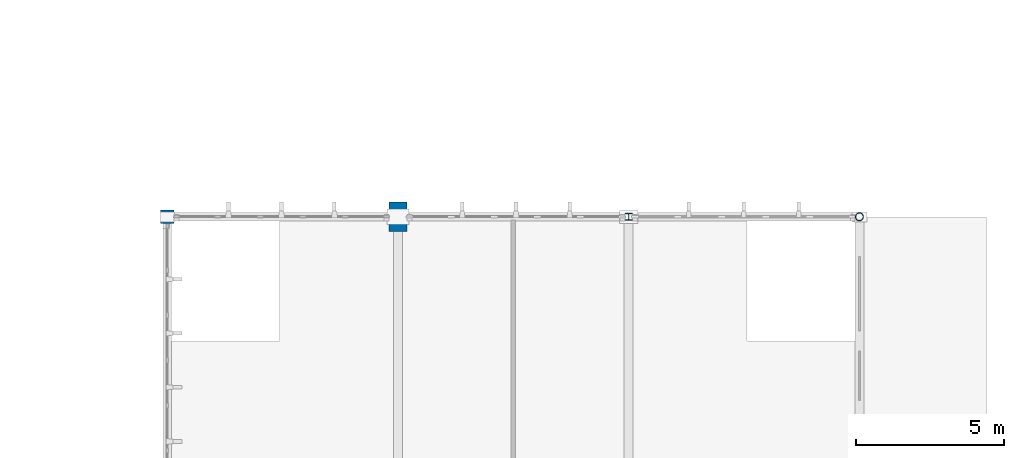
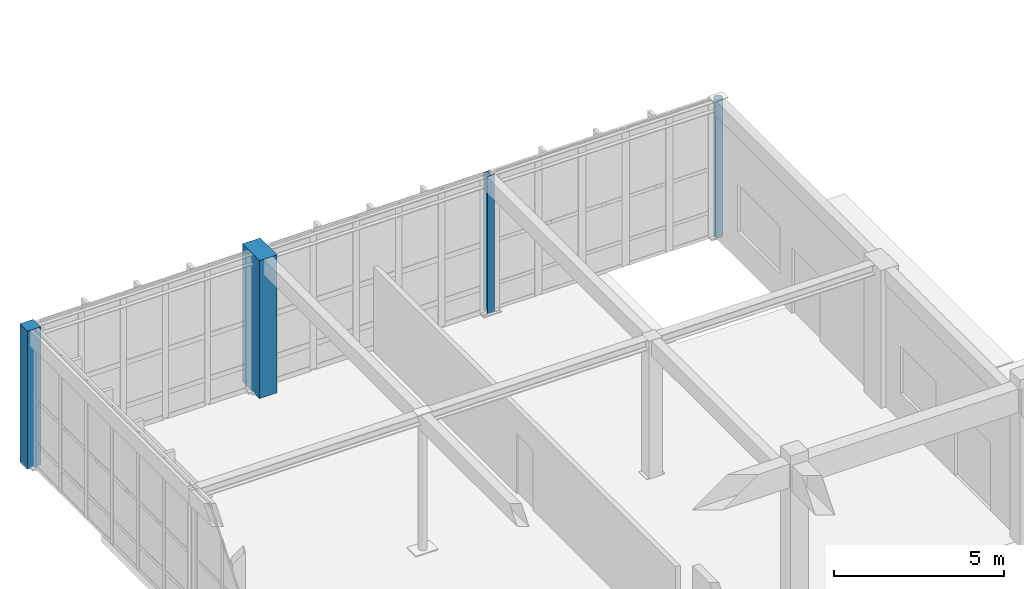
# One storey, part 10 of 110: 4 columns.
"""IFC4 building model written with IfcOpenShell, lengths in metres."""

from ifc_helpers import new_model, si_unit, direction, frame, origin, origin_2d, place, context, subcontext, project, spatial, rectangle, hollow_circle, i_section, extrude, material, material_profile, profile_set, type_object, element, save


model = new_model("IFC4")

# Units and contexts
model_context = context("Model", 3, precision=1e-05, world=origin(), true_north=direction((0.0, 1.0)))
body_context = subcontext(model_context, "Body", "Model", "MODEL_VIEW")
ifc_project = project(units=[si_unit("LENGTHUNIT", "METRE"), si_unit("AREAUNIT", "SQUARE_METRE"), si_unit("VOLUMEUNIT", "CUBIC_METRE"), si_unit("PLANEANGLEUNIT", "RADIAN"), si_unit("MASSUNIT", "GRAM", prefix="KILO")], contexts=[model_context])

# Site, building, storey
site_placement = place(None, origin())
site = spatial("IfcSite", under=ifc_project, at=site_placement, CompositionType="ELEMENT")
building_placement = place(site_placement, origin())
building = spatial("IfcBuilding", under=site, at=building_placement, Name="Tizgana Railside Sports Hall", CompositionType="ELEMENT")
storey_placement = place(building_placement, origin())
storey = spatial("IfcBuildingStorey", under=building, at=storey_placement, Name="L00", CompositionType="ELEMENT", Elevation=0.0)

# Columns
ifc_material_1 = material(Name="Concrete C35/45", Category="concrete")
ifc_material_profile_1 = material_profile(ifc_material_1, rectangle(XDim=0.449951171875, YDim=0.449951171875, at=origin_2d()), Name="RC 450x450")
ifc_profile_set_1 = profile_set([ifc_material_profile_1], Name="Concrete C35/45")
column_type_1 = type_object("IfcColumnType", Name="Concrete Column RC 450x450", PredefinedType="COLUMN", material=ifc_profile_set_1)
column_1_placement = place(storey_placement, frame((7.800048828125, 98.39990234375, 0.0), z_axis=(0.0, 0.0, 1.0), x_axis=(1.0, 0.0, 0.0)))
element("IfcColumn", 1, at=column_1_placement, inside=storey, type_object=column_type_1, Name="L00 COL-0875", PredefinedType="COLUMN", context=body_context, shape_type="SweptSolid", body=[
    extrude(rectangle(XDim=0.449951171875, YDim=0.449951171875, at=origin_2d()), origin(), (0.0, 0.0, 1.0), 4.9599609375),
])
ifc_material_2 = material(Name="Concrete C40/50", Category="concrete")
ifc_material_profile_2 = material_profile(ifc_material_2, rectangle(XDim=0.60009765625, YDim=1.0, at=origin_2d()), Name="RC 600x1000")
ifc_profile_set_2 = profile_set([ifc_material_profile_2], Name="Concrete C40/50")
column_type_2 = type_object("IfcColumnType", Name="Concrete Column RC 600x1000", PredefinedType="COLUMN", material=ifc_profile_set_2)
column_2_placement = place(storey_placement, frame((15.60009765625, 98.39990234375, 0.0), z_axis=(0.0, 0.0, 1.0), x_axis=(1.0, 0.0, 0.0)))
element("IfcColumn", 2, at=column_2_placement, inside=storey, type_object=column_type_2, Name="L00 COL-0879", PredefinedType="COLUMN", context=body_context, shape_type="SweptSolid", body=[
    extrude(rectangle(XDim=0.60009765625, YDim=1.0, at=origin_2d()), origin(), (0.0, 0.0, 1.0), 4.9599609375),
])
ifc_material_3 = material(Name="Steel S355J2", Category="steel")
ifc_material_profile_3 = material_profile(ifc_material_3, hollow_circle(Radius=0.136474609375, WallThickness=0.012451171875, at=origin_2d()), Name="CHS 273x12.5")
ifc_profile_set_3 = profile_set([ifc_material_profile_3], Name="Steel S355J2")
column_type_3 = type_object("IfcColumnType", Name="Steel Column CHS 273x12.5", PredefinedType="COLUMN", material=ifc_profile_set_3)
column_3_placement = place(storey_placement, frame((31.199951171875, 98.39990234375, 0.0), z_axis=(0.0, 0.0, 1.0), x_axis=(1.0, 0.0, 0.0)))
element("IfcColumn", 3, at=column_3_placement, inside=storey, type_object=column_type_3, Name="L00 COL-0887", PredefinedType="COLUMN", context=body_context, shape_type="SweptSolid", body=[
    extrude(hollow_circle(Radius=0.136474609375, WallThickness=0.012451171875, at=origin_2d()), origin(), (0.0, 0.0, 1.0), 4.9599609375),
])
ifc_material_profile_4 = material_profile(ifc_material_3, i_section(OverallWidth=0.239990234375, OverallDepth=0.239990234375, WebThickness=0.010009765625, FlangeThickness=0.01708984375, FilletRadius=0.02099609375, at=origin_2d()), Name="HEB 240")
ifc_profile_set_4 = profile_set([ifc_material_profile_4], Name="Steel S355J2")
column_type_4 = type_object("IfcColumnType", Name="Steel Column HEB 240", PredefinedType="COLUMN", material=ifc_profile_set_4)
column_4_placement = place(storey_placement, frame((23.39990234375, 98.39990234375, 0.0), z_axis=(0.0, 0.0, 1.0), x_axis=(1.0, 0.0, 0.0)))
element("IfcColumn", 4, at=column_4_placement, inside=storey, type_object=column_type_4, Name="L00 COL-0883", PredefinedType="COLUMN", context=body_context, shape_type="SweptSolid", body=[
    extrude(i_section(OverallWidth=0.239990234375, OverallDepth=0.239990234375, WebThickness=0.010009765625, FlangeThickness=0.01708984375, FilletRadius=0.02099609375, at=origin_2d()), origin(), (0.0, 0.0, 1.0), 4.9599609375),
])

save(model, "model.ifc")
